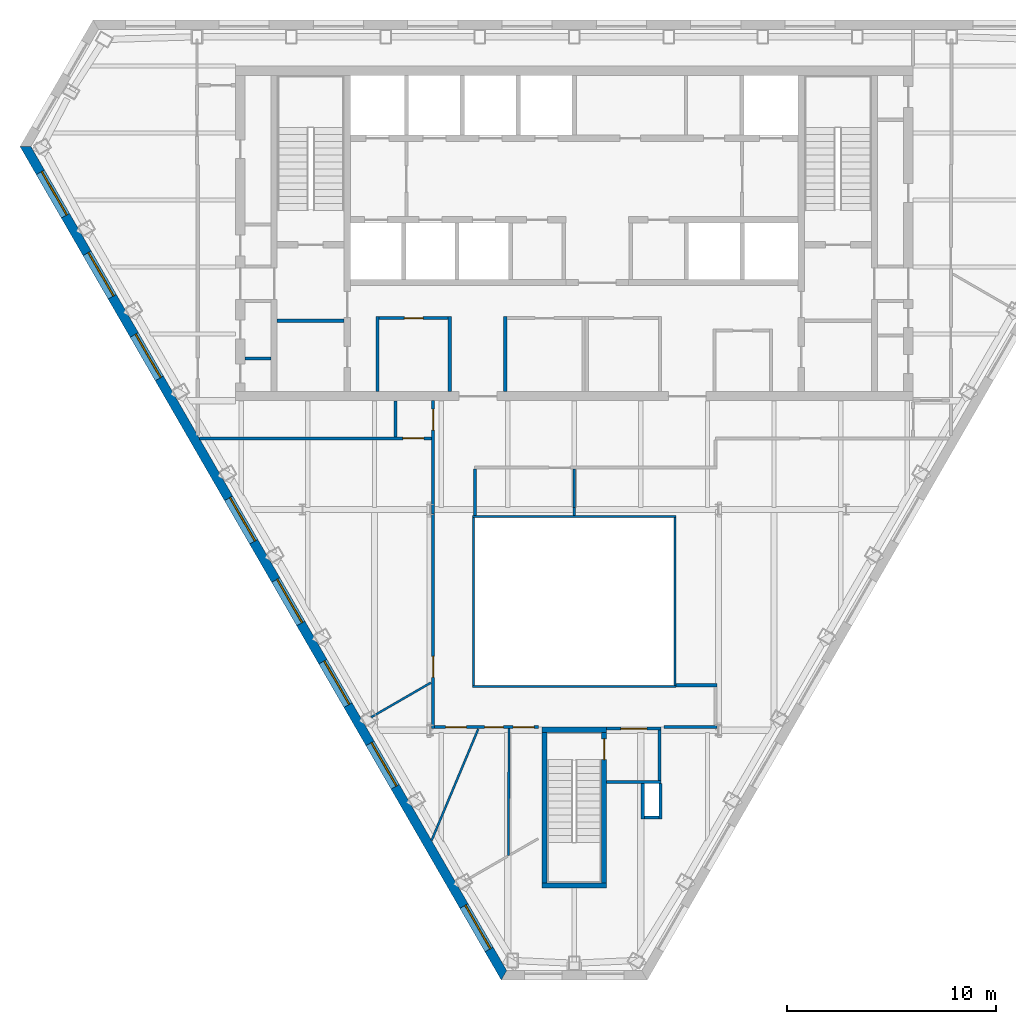
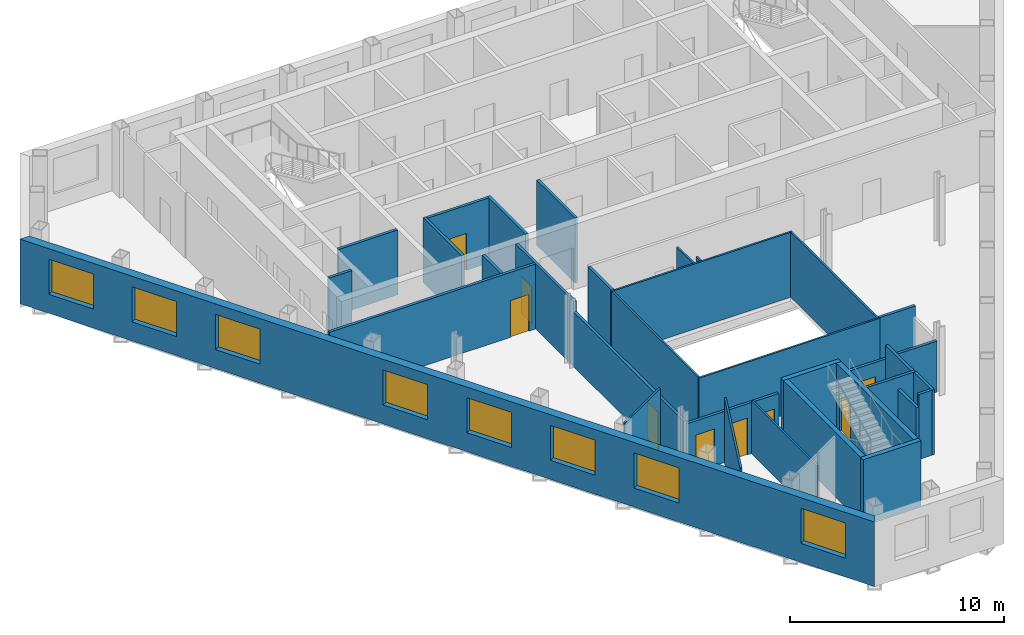
# One storey, part 4 of 11: 34 walls, 9 doors, 8 windows, 17 openings.
"""IFC4 building model written with IfcOpenShell, lengths in metres."""

from ifc_helpers import new_model, si_unit, direction, frame, frame_2d, origin, place, context, subcontext, project, spatial, polyline, rectangle, outline, extrude, material, layer, layer_set, type_object, element, fill, save


model = new_model("IFC4")

# Units and contexts
model_context = context("Model", 3, precision=1e-05, world=origin(), true_north=direction((0.0, 1.0)))
body_context = subcontext(model_context, "Body", "Model", "MODEL_VIEW")
ifc_project = project(units=[si_unit("LENGTHUNIT", "METRE"), si_unit("AREAUNIT", "SQUARE_METRE"), si_unit("VOLUMEUNIT", "CUBIC_METRE"), si_unit("PLANEANGLEUNIT", "RADIAN"), si_unit("MASSUNIT", "GRAM", prefix="KILO")], contexts=[model_context])

# Site, building, storey
site_placement = place(None, origin())
site = spatial("IfcSite", under=ifc_project, at=site_placement, CompositionType="ELEMENT")
building_placement = place(site_placement, origin())
building = spatial("IfcBuilding", under=site, at=building_placement, Name="Njiva Tower", CompositionType="ELEMENT")
storey_placement = place(building_placement, frame((0.0, 0.0, 216.0)))
storey = spatial("IfcBuildingStorey", under=building, at=storey_placement, Name="L48", CompositionType="ELEMENT", Elevation=216.0)

# Walls
ifc_material_1 = material(Name="Blockwork", Category="masonry")
ifc_layer_1 = layer(ifc_material_1, 0.15)
ifc_layer_set_1 = layer_set([ifc_layer_1], Name="Blockwork")
wall_type_1 = type_object("IfcWallType", Name="WT1 Compartment partition 150", PredefinedType="PARTITIONING", material=ifc_layer_set_1)
wall_1_placement = place(storey_placement, frame((-14.2, 5.825, 0.0), z_axis=(0.0, 0.0, 1.0), x_axis=(1.0, 0.0, 0.0)))
element("IfcWall", 1, at=wall_1_placement, inside=storey, type_object=wall_type_1, Name="Room wall A", PredefinedType="PARTITIONING", context=body_context, shape_type="SweptSolid", body=[
    extrude(rectangle(XDim=3.2, YDim=0.15, at=frame_2d((1.6, 0.0))), origin(), (0.0, 0.0, 1.0), 3.7),
])
for number, where, z_axis, x_axis, name in (
    (2, (-9.4, 2.45, 0.0), (0.0, 0.0, 1.0), (0.0, 1.0, 0.0), "Waiting room wall west"),
    (3, (-5.95, 2.45, 0.0), (0.0, 0.0, 1.0), (0.0, 1.0, 0.0), "Waiting room wall east"),
):
    element("IfcWall", number, at=place(storey_placement, frame(where, z_axis=z_axis, x_axis=x_axis)), inside=storey, type_object=wall_type_1, Name=name, PredefinedType="PARTITIONING", context=body_context, shape_type="SweptSolid", body=[
        extrude(rectangle(XDim=3.575, YDim=0.15, at=frame_2d((1.7875, 0.0))), origin(), (0.0, 0.0, 1.0), 3.7),
    ])

# Wall, opening, door
wall_2_placement = place(storey_placement, frame((-9.325, 5.95, 0.0), z_axis=(0.0, 0.0, 1.0), x_axis=(1.0, 0.0, 0.0)))
wall_2 = element("IfcWall", 4, at=wall_2_placement, inside=storey, type_object=wall_type_1, Name="Waiting room wall north", PredefinedType="PARTITIONING", context=body_context, shape_type="SweptSolid", body=[
    extrude(rectangle(XDim=3.3, YDim=0.15, at=frame_2d((1.65, 0.0))), origin(), (0.0, 0.0, 1.0), 3.7),
])
opening_1_placement = place(wall_2_placement, frame((1.2, 0.0, 0.0)))
opening_1 = element("IfcOpeningElement", 5, at=opening_1_placement, cuts=wall_2, Name="Opening S16-D933", PredefinedType="OPENING", context=body_context, shape_type="SweptSolid", body=[
    extrude(rectangle(XDim=0.9, YDim=2.1, at=frame_2d((0.45, 1.05))), frame((0.0, 0.085, 0.0), z_axis=(0.0, -1.0, 0.0), x_axis=(1.0, 0.0, 0.0)), (0.0, 0.0, 1.0), 0.17),
])
ifc_material_2 = material(Name="Steel fire door, painted", Category="steel")
door_type_1 = type_object("IfcDoorType", Name="D6 Fire-rated door 900x2100", OperationType="SINGLE_SWING_LEFT", PredefinedType="DOOR", material=ifc_material_2)
door_1_placement = place(opening_1_placement, origin())
door_1 = element("IfcDoor", 6, at=door_1_placement, inside=storey, type_object=door_type_1, Name="Waiting room door", OperationType="SINGLE_SWING_RIGHT", OverallHeight=2.1, OverallWidth=0.9, PredefinedType="DOOR", context=body_context, shape_type="SweptSolid", body=[
    extrude(rectangle(XDim=0.9, YDim=2.1, at=frame_2d((0.45, 1.05))), frame((0.0, 0.025, 0.0), z_axis=(0.0, -1.0, 0.0), x_axis=(1.0, 0.0, 0.0)), (0.0, 0.0, 1.0), 0.05),
])
fill(opening_1, door_1)

# Walls
wall_3_placement = place(storey_placement, frame((-3.3, 2.45, 0.0), z_axis=(0.0, 0.0, 1.0), x_axis=(0.0, 1.0, 0.0)))
element("IfcWall", 7, at=wall_3_placement, inside=storey, type_object=wall_type_1, Name="First aid room wall west", PredefinedType="PARTITIONING", context=body_context, shape_type="SweptSolid", body=[
    extrude(rectangle(XDim=3.575, YDim=0.15, at=frame_2d((1.7875, 0.0))), origin(), (0.0, 0.0, 1.0), 3.7),
])
ifc_material_3 = material(Name="Gypsum board on steel studs", Category="gypsum")
ifc_layer_2 = layer(ifc_material_3, 0.1)
ifc_layer_set_2 = layer_set([ifc_layer_2], Name="Gypsum board on steel studs")
wall_type_2 = type_object("IfcWallType", Name="WT20 Gypsum partition 100", PredefinedType="PARTITIONING", material=ifc_layer_set_2)
wall_4_placement = place(storey_placement, frame((-9.705, -13.126, 0.0), z_axis=(0.0, 0.0, 1.0), x_axis=(0.865938055058, 0.500151261923, 0.0)))
element("IfcWall", 8, at=wall_4_placement, inside=storey, type_object=wall_type_2, Name="Partition S16-P006", PredefinedType="PARTITIONING", context=body_context, shape_type="SweptSolid", body=[
    extrude(rectangle(XDim=3.297, YDim=0.1, at=frame_2d((1.6485, 0.0))), origin(), (0.0, 0.0, 1.0), 3.7),
])
wall_5_placement = place(storey_placement, frame((-6.821, -19.02, 0.0), z_axis=(0.0, 0.0, 1.0), x_axis=(0.386360825785, 0.922347717674, 0.0)))
element("IfcWall", 9, at=wall_5_placement, inside=storey, type_object=wall_type_2, Name="Partition S16-P008", PredefinedType="PARTITIONING", context=body_context, shape_type="SweptSolid", body=[
    extrude(rectangle(XDim=5.7744, YDim=0.1, at=frame_2d((2.8872, 0.0))), origin(), (0.0, 0.0, 1.0), 3.7),
])
wall_6_placement = place(storey_placement, frame((-3.143, -19.751, 0.0), z_axis=(0.0, 0.0, 1.0), x_axis=(0.003456200555, 0.999994027321, 0.0)))
element("IfcWall", 10, at=wall_6_placement, inside=storey, type_object=wall_type_2, Name="Partition S16-P014", PredefinedType="PARTITIONING", context=body_context, shape_type="SweptSolid", body=[
    extrude(rectangle(XDim=6.076, YDim=0.1, at=frame_2d((3.038, 0.0))), origin(), (0.0, 0.0, 1.0), 3.01),
])
wall_7_placement = place(storey_placement, frame((-0.001, -1.275, 0.0), z_axis=(0.0, 0.0, 1.0), x_axis=(0.000438356122, -0.999999903922, 0.0)))
element("IfcWall", 11, at=wall_7_placement, inside=storey, type_object=wall_type_2, Name="Partition S16-P016", PredefinedType="PARTITIONING", context=body_context, shape_type="SweptSolid", body=[
    extrude(rectangle(XDim=1.825, YDim=0.1, at=frame_2d((0.9125, 0.0))), origin(), (0.0, 0.0, 1.0), 3.15),
])
wall_8_placement = place(storey_placement, frame((-0.0002, -3.1, 0.0), z_axis=(0.0, 0.0, 1.0), x_axis=(0.000526315717, -0.999999861496, 0.0)))
element("IfcWall", 12, at=wall_8_placement, inside=storey, type_object=wall_type_2, Name="Partition S16-P016A", PredefinedType="PARTITIONING", context=body_context, shape_type="SweptSolid", body=[
    extrude(rectangle(XDim=0.38, YDim=0.1, at=frame_2d((0.19, 0.0))), origin(), (0.0, 0.0, 1.0), 3.7),
])

# Wall, opening, door
ifc_layer_3 = layer(ifc_material_3, 0.15)
ifc_layer_set_3 = layer_set([ifc_layer_3], Name="Gypsum board on steel studs")
wall_type_3 = type_object("IfcWallType", Name="WT21 Compartment wall 150", PredefinedType="PARTITIONING", material=ifc_layer_set_3)
wall_9_placement = place(storey_placement, frame((-17.918, 0.2, 0.0), z_axis=(0.0, 0.0, 1.0), x_axis=(0.999999995937, 9.0146939e-05, 0.0)))
wall_9 = element("IfcWall", 13, at=wall_9_placement, inside=storey, type_object=wall_type_3, Name="Partition S16-P005", PredefinedType="PARTITIONING", context=body_context, shape_type="SweptSolid", body=[
    extrude(rectangle(XDim=11.093, YDim=0.15, at=frame_2d((5.5465, 0.0))), origin(), (0.0, 0.0, 1.0), 3.7),
])
opening_2_placement = place(wall_9_placement, frame((9.73, 0.0, 0.0)))
opening_2 = element("IfcOpeningElement", 14, at=opening_2_placement, cuts=wall_9, Name="Opening S16-D004", PredefinedType="OPENING", context=body_context, shape_type="SweptSolid", body=[
    extrude(rectangle(XDim=1.0, YDim=2.1, at=frame_2d((0.5, 1.05))), frame((0.0, 0.085, 0.0), z_axis=(0.0, -1.0, 0.0), x_axis=(1.0, 0.0, 0.0)), (0.0, 0.0, 1.0), 0.17),
])
ifc_material_4 = material(Name="Steel fire door set", Category="steel")
door_type_2 = type_object("IfcDoorType", Name="D37 Fire door 1000x2100", OperationType="SINGLE_SWING_LEFT", PredefinedType="DOOR", material=ifc_material_4)
door_2_placement = place(opening_2_placement, origin())
door_2 = element("IfcDoor", 15, at=door_2_placement, inside=storey, type_object=door_type_2, Name="Door S16-D004", OperationType="SINGLE_SWING_RIGHT", OverallHeight=2.1, OverallWidth=1.0, PredefinedType="DOOR", context=body_context, shape_type="SweptSolid", body=[
    extrude(rectangle(XDim=1.0, YDim=2.1, at=frame_2d((0.5, 1.05))), frame((0.0, 0.025, 0.0), z_axis=(0.0, -1.0, 0.0), x_axis=(1.0, 0.0, 0.0)), (0.0, 0.0, 1.0), 0.05),
])
fill(opening_2, door_2)

# Wall
wall_10_placement = place(storey_placement, frame((-8.55, 0.276, 0.0), z_axis=(0.0, 0.0, 1.0), x_axis=(0.0, 1.0, 0.0)))
element("IfcWall", 16, at=wall_10_placement, inside=storey, type_object=wall_type_3, Name="Partition S16-P007", PredefinedType="PARTITIONING", context=body_context, shape_type="SweptSolid", body=[
    extrude(rectangle(XDim=1.723, YDim=0.15, at=frame_2d((0.8615, 0.0))), origin(), (0.0, 0.0, 1.0), 3.7),
])

# Wall, opening, door
wall_11_placement = place(storey_placement, frame((-6.75, -13.675, 0.0), z_axis=(0.0, 0.0, 1.0), x_axis=(0.0, 1.0, 0.0)))
wall_11 = element("IfcWall", 17, at=wall_11_placement, inside=storey, type_object=wall_type_3, Name="Partition S16-P009", PredefinedType="PARTITIONING", context=body_context, shape_type="SweptSolid", body=[
    extrude(rectangle(XDim=10.263, YDim=0.15, at=frame_2d((5.1315, 0.0))), origin(), (0.0, 0.0, 1.0), 3.11),
])
opening_3_placement = place(wall_11_placement, frame((2.455, 0.0, 0.0)))
opening_3 = element("IfcOpeningElement", 18, at=opening_3_placement, cuts=wall_11, Name="Opening S16-D005", PredefinedType="OPENING", context=body_context, shape_type="SweptSolid", body=[
    extrude(rectangle(XDim=1.0, YDim=2.1, at=frame_2d((0.5, 1.05))), frame((0.0, 0.085, 0.0), z_axis=(0.0, -1.0, 0.0), x_axis=(1.0, 0.0, 0.0)), (0.0, 0.0, 1.0), 0.17),
])
door_3_placement = place(opening_3_placement, origin())
door_3 = element("IfcDoor", 19, at=door_3_placement, inside=storey, type_object=door_type_2, Name="Door S16-D005", OperationType="SINGLE_SWING_RIGHT", OverallHeight=2.1, OverallWidth=1.0, PredefinedType="DOOR", context=body_context, shape_type="SweptSolid", body=[
    extrude(rectangle(XDim=1.0, YDim=2.1, at=frame_2d((0.5, 1.05))), frame((0.0, 0.025, 0.0), z_axis=(0.0, -1.0, 0.0), x_axis=(1.0, 0.0, 0.0)), (0.0, 0.0, 1.0), 0.05),
])
fill(opening_3, door_3)

wall_12_placement = place(storey_placement, frame((-6.75, -3.412, 0.0), z_axis=(0.0, 0.0, 1.0), x_axis=(0.0, 1.0, 0.0)))
wall_12 = element("IfcWall", 20, at=wall_12_placement, inside=storey, type_object=wall_type_3, Name="Partition S16-P009A", PredefinedType="PARTITIONING", context=body_context, shape_type="SweptSolid", body=[
    extrude(rectangle(XDim=5.412, YDim=0.15, at=frame_2d((2.706, 0.0))), origin(), (0.0, 0.0, 1.0), 3.7),
])
opening_4_placement = place(wall_12_placement, frame((4.012, 0.0, 0.0)))
opening_4 = element("IfcOpeningElement", 21, at=opening_4_placement, cuts=wall_12, Name="Opening S16-D006", PredefinedType="OPENING", context=body_context, shape_type="SweptSolid", body=[
    extrude(rectangle(XDim=1.0, YDim=2.1, at=frame_2d((0.5, 1.05))), frame((0.0, 0.085, 0.0), z_axis=(0.0, -1.0, 0.0), x_axis=(1.0, 0.0, 0.0)), (0.0, 0.0, 1.0), 0.17),
])
door_4_placement = place(opening_4_placement, origin())
door_4 = element("IfcDoor", 22, at=door_4_placement, inside=storey, type_object=door_type_2, Name="Door S16-D006", OperationType="SINGLE_SWING_LEFT", OverallHeight=2.1, OverallWidth=1.0, PredefinedType="DOOR", context=body_context, shape_type="SweptSolid", body=[
    extrude(rectangle(XDim=1.0, YDim=2.1, at=frame_2d((0.5, 1.05))), frame((0.0, 0.025, 0.0), z_axis=(0.0, -1.0, 0.0), x_axis=(1.0, 0.0, 0.0)), (0.0, 0.0, 1.0), 0.05),
])
fill(opening_4, door_4)

# Wall, openings, doors
wall_13_placement = place(storey_placement, frame((-6.675, -13.6, 0.0), z_axis=(0.0, 0.0, 1.0), x_axis=(1.0, 0.0, 0.0)))
wall_13 = element("IfcWall", 23, at=wall_13_placement, inside=storey, type_object=wall_type_3, Name="Partition S16-P010", PredefinedType="PARTITIONING", context=body_context, shape_type="SweptSolid", body=[
    extrude(rectangle(XDim=4.975, YDim=0.15, at=frame_2d((2.4875, 0.0))), origin(), (0.0, 0.0, 1.0), 2.91),
])
opening_5_placement = place(wall_13_placement, frame((0.522, 0.0, 0.0)))
opening_5 = element("IfcOpeningElement", 24, at=opening_5_placement, cuts=wall_13, Name="Opening S16-D007", PredefinedType="OPENING", context=body_context, shape_type="SweptSolid", body=[
    extrude(rectangle(XDim=1.0, YDim=2.1, at=frame_2d((0.5, 1.05))), frame((0.0, 0.085, 0.0), z_axis=(0.0, -1.0, 0.0), x_axis=(1.0, 0.0, 0.0)), (0.0, 0.0, 1.0), 0.17),
])
opening_6_placement = place(wall_13_placement, frame((2.389, 0.0, 0.0)))
opening_6 = element("IfcOpeningElement", 25, at=opening_6_placement, cuts=wall_13, Name="Opening S16-D008", PredefinedType="OPENING", context=body_context, shape_type="SweptSolid", body=[
    extrude(rectangle(XDim=0.9, YDim=2.1, at=frame_2d((0.45, 1.05))), frame((0.0, 0.085, 0.0), z_axis=(0.0, -1.0, 0.0), x_axis=(1.0, 0.0, 0.0)), (0.0, 0.0, 1.0), 0.17),
])
opening_7_placement = place(wall_13_placement, frame((3.753, 0.0, 0.0)))
opening_7 = element("IfcOpeningElement", 26, at=opening_7_placement, cuts=wall_13, Name="Opening S16-D009", PredefinedType="OPENING", context=body_context, shape_type="SweptSolid", body=[
    extrude(rectangle(XDim=1.0, YDim=2.1, at=frame_2d((0.5, 1.05))), frame((0.0, 0.085, 0.0), z_axis=(0.0, -1.0, 0.0), x_axis=(1.0, 0.0, 0.0)), (0.0, 0.0, 1.0), 0.17),
])
door_type_3 = type_object("IfcDoorType", Name="D36 Fire door 900x2100", OperationType="SINGLE_SWING_LEFT", PredefinedType="DOOR", material=ifc_material_4)
door_5_placement = place(opening_6_placement, origin())
door_5 = element("IfcDoor", 27, at=door_5_placement, inside=storey, type_object=door_type_3, Name="Door S16-D008", OperationType="SINGLE_SWING_RIGHT", OverallHeight=2.1, OverallWidth=0.9, PredefinedType="DOOR", context=body_context, shape_type="SweptSolid", body=[
    extrude(rectangle(XDim=0.9, YDim=2.1, at=frame_2d((0.45, 1.05))), frame((0.0, 0.025, 0.0), z_axis=(0.0, -1.0, 0.0), x_axis=(1.0, 0.0, 0.0)), (0.0, 0.0, 1.0), 0.05),
])
fill(opening_6, door_5)
door_6_placement = place(opening_5_placement, origin())
door_6 = element("IfcDoor", 28, at=door_6_placement, inside=storey, type_object=door_type_2, Name="Door S16-D007", OperationType="SINGLE_SWING_LEFT", OverallHeight=2.1, OverallWidth=1.0, PredefinedType="DOOR", context=body_context, shape_type="SweptSolid", body=[
    extrude(rectangle(XDim=1.0, YDim=2.1, at=frame_2d((0.5, 1.05))), frame((0.0, 0.025, 0.0), z_axis=(0.0, -1.0, 0.0), x_axis=(1.0, 0.0, 0.0)), (0.0, 0.0, 1.0), 0.05),
])
fill(opening_5, door_6)
door_7_placement = place(opening_7_placement, origin())
door_7 = element("IfcDoor", 29, at=door_7_placement, inside=storey, type_object=door_type_2, Name="Door S16-D009", OperationType="SINGLE_SWING_RIGHT", OverallHeight=2.1, OverallWidth=1.0, PredefinedType="DOOR", context=body_context, shape_type="SweptSolid", body=[
    extrude(rectangle(XDim=1.0, YDim=2.1, at=frame_2d((0.5, 1.05))), frame((0.0, 0.025, 0.0), z_axis=(0.0, -1.0, 0.0), x_axis=(1.0, 0.0, 0.0)), (0.0, 0.0, 1.0), 0.05),
])
fill(opening_7, door_7)

# Walls
wall_14_placement = place(storey_placement, frame((-4.75, -1.275, 0.0), z_axis=(0.0, 0.0, 1.0), x_axis=(0.000453514693, -0.999999897162, 0.0)))
element("IfcWall", 30, at=wall_14_placement, inside=storey, type_object=wall_type_3, Name="Partition S16-P013", PredefinedType="PARTITIONING", context=body_context, shape_type="SweptSolid", body=[
    extrude(rectangle(XDim=2.205, YDim=0.15, at=frame_2d((1.1025, 0.0))), origin(), (0.0, 0.0, 1.0), 3.7),
])
wall_15_placement = place(storey_placement, frame((4.3, -13.6, 0.0), z_axis=(0.0, 0.0, 1.0), x_axis=(1.0, 0.0, 0.0)))
element("IfcWall", 31, at=wall_15_placement, inside=storey, type_object=wall_type_3, Name="Partition S16-P017", PredefinedType="PARTITIONING", context=body_context, shape_type="SweptSolid", body=[
    extrude(rectangle(XDim=2.525, YDim=0.15, at=frame_2d((1.2625, 0.0))), origin(), (0.0, 0.0, 1.0), 2.91),
])
wall_16_placement = place(storey_placement, frame((4.87, -11.6, 0.0), z_axis=(0.0, 0.0, 1.0), x_axis=(1.0, 0.0, 0.0)))
element("IfcWall", 32, at=wall_16_placement, inside=storey, type_object=wall_type_3, Name="Partition S16-P018", PredefinedType="PARTITIONING", context=body_context, shape_type="SweptSolid", body=[
    extrude(rectangle(XDim=1.955, YDim=0.15, at=frame_2d((0.9775, 0.0))), origin(), (0.0, 0.0, 1.0), 3.7),
])
ifc_layer_4 = layer(ifc_material_1, 0.15)
ifc_layer_set_4 = layer_set([ifc_layer_4], Name="Blockwork")
wall_type_4 = type_object("IfcWallType", Name="WT3 Riser partition 150", PredefinedType="PARTITIONING", material=ifc_layer_set_4)
wall_17_placement = place(storey_placement, frame((-15.75, 4.025, 0.0), z_axis=(0.0, 0.0, 1.0), x_axis=(1.0, 0.0, 0.0)))
element("IfcWall", 33, at=wall_17_placement, inside=storey, type_object=wall_type_4, Name="Partition strip W00", PredefinedType="PARTITIONING", context=body_context, shape_type="SweptSolid", body=[
    extrude(rectangle(XDim=1.25, YDim=0.15, at=frame_2d((0.625, 0.0))), origin(), (0.0, 0.0, 1.0), 3.7),
])
ifc_layer_5 = layer(ifc_material_1, 0.15)
ifc_layer_set_5 = layer_set([ifc_layer_5], Name="Blockwork")
wall_type_5 = type_object("IfcWallType", Name="WT4 Stair partition 150", PredefinedType="PARTITIONING", material=ifc_layer_set_5)
wall_18_placement = place(storey_placement, frame((1.55, -16.225, 0.0), z_axis=(0.0, 0.0, 1.0), x_axis=(1.0, 0.0, 0.0)))
element("IfcWall", 34, at=wall_18_placement, inside=storey, type_object=wall_type_5, Name="Stair C vestibule wall south", PredefinedType="PARTITIONING", context=body_context, shape_type="SweptSolid", body=[
    extrude(rectangle(XDim=2.6, YDim=0.15, at=frame_2d((1.3, 0.0))), origin(), (0.0, 0.0, 1.0), 3.7),
])
wall_19_placement = place(storey_placement, frame((4.075, -16.15, 0.0), z_axis=(0.0, 0.0, 1.0), x_axis=(0.0, 1.0, 0.0)))
element("IfcWall", 35, at=wall_19_placement, inside=storey, type_object=wall_type_5, Name="Stair C vestibule wall east", PredefinedType="PARTITIONING", context=body_context, shape_type="SweptSolid", body=[
    extrude(rectangle(XDim=2.4, YDim=0.15, at=frame_2d((1.2, 0.0))), origin(), (0.0, 0.0, 1.0), 3.7),
])

# Wall, opening, door
wall_20_placement = place(storey_placement, frame((1.55, -13.675, 0.0), z_axis=(0.0, 0.0, 1.0), x_axis=(1.0, 0.0, 0.0)))
wall_20 = element("IfcWall", 36, at=wall_20_placement, inside=storey, type_object=wall_type_5, Name="Stair C vestibule wall north", PredefinedType="PARTITIONING", context=body_context, shape_type="SweptSolid", body=[
    extrude(rectangle(XDim=2.6, YDim=0.15, at=frame_2d((1.3, 0.0))), origin(), (0.0, 0.0, 1.0), 2.91),
])
opening_8_placement = place(wall_20_placement, frame((0.675, 0.0, 0.0)))
opening_8 = element("IfcOpeningElement", 37, at=opening_8_placement, cuts=wall_20, Name="Opening S16-D941", PredefinedType="OPENING", context=body_context, shape_type="SweptSolid", body=[
    extrude(rectangle(XDim=1.25, YDim=2.1, at=frame_2d((0.625, 1.05))), frame((0.0, 0.085, 0.0), z_axis=(0.0, -1.0, 0.0), x_axis=(1.0, 0.0, 0.0)), (0.0, 0.0, 1.0), 0.17),
])
ifc_material_5 = material(Name="Glazed steel fire door", Category="steel")
door_type_4 = type_object("IfcDoorType", Name="D8 Vestibule corridor door 1250x2100 glazed", OperationType="SINGLE_SWING_LEFT", PredefinedType="DOOR", material=ifc_material_5)
door_8_placement = place(opening_8_placement, origin())
door_8 = element("IfcDoor", 38, at=door_8_placement, inside=storey, type_object=door_type_4, Name="Stair vestibule corridor door", OperationType="SINGLE_SWING_RIGHT", OverallHeight=2.1, OverallWidth=1.25, PredefinedType="DOOR", context=body_context, shape_type="SweptSolid", body=[
    extrude(rectangle(XDim=1.25, YDim=2.1, at=frame_2d((0.625, 1.05))), frame((0.0, 0.025, 0.0), z_axis=(0.0, -1.0, 0.0), x_axis=(1.0, 0.0, 0.0)), (0.0, 0.0, 1.0), 0.05),
])
fill(opening_8, door_8)

# Walls
wall_21_placement = place(storey_placement, frame((3.275, -18.0, 0.0), z_axis=(0.0, 0.0, 1.0), x_axis=(0.0, 1.0, 0.0)))
element("IfcWall", 39, at=wall_21_placement, inside=storey, type_object=wall_type_5, Name="Stair C pressurisation shaft wall", PredefinedType="PARTITIONING", context=body_context, shape_type="SweptSolid", body=[
    extrude(rectangle(XDim=1.7, YDim=0.15, at=frame_2d((0.85, 0.0))), origin(), (0.0, 0.0, 1.0), 3.01),
])
wall_22_placement = place(storey_placement, frame((3.35, -17.925, 0.0), z_axis=(0.0, 0.0, 1.0), x_axis=(1.0, 0.0, 0.0)))
element("IfcWall", 40, at=wall_22_placement, inside=storey, type_object=wall_type_5, Name="Stair C pressurisation shaft wall", PredefinedType="PARTITIONING", context=body_context, shape_type="SweptSolid", body=[
    extrude(rectangle(XDim=0.7, YDim=0.15, at=frame_2d((0.35, 0.0))), origin(), (0.0, 0.0, 1.0), 3.7),
])
wall_23_placement = place(storey_placement, frame((4.125, -18.0, 0.0), z_axis=(0.0, 0.0, 1.0), x_axis=(0.0, 1.0, 0.0)))
element("IfcWall", 41, at=wall_23_placement, inside=storey, type_object=wall_type_5, Name="Stair C pressurisation shaft wall", PredefinedType="PARTITIONING", context=body_context, shape_type="SweptSolid", body=[
    extrude(rectangle(XDim=1.7, YDim=0.15, at=frame_2d((0.85, 0.0))), origin(), (0.0, 0.0, 1.0), 3.7),
])
ifc_material_6 = material(Name="Concrete C40/50", Category="concrete")
ifc_layer_6 = layer(ifc_material_6, 0.25)
ifc_layer_set_6 = layer_set([ifc_layer_6], Name="Concrete C40/50")
wall_type_6 = type_object("IfcWallType", Name="WT9 Stair enclosure wall 250", PredefinedType="SHEAR", material=ifc_layer_set_6)
wall_24_placement = place(storey_placement, frame((-1.425, -21.05, 0.0), z_axis=(0.0, 0.0, 1.0), x_axis=(0.0, 1.0, 0.0)))
element("IfcWall", 42, at=wall_24_placement, inside=storey, type_object=wall_type_6, Name="Stair C wall west", PredefinedType="SHEAR", context=body_context, shape_type="SweptSolid", body=[
    extrude(rectangle(XDim=7.2, YDim=0.25, at=frame_2d((3.6, 0.0))), origin(), (0.0, 0.0, 1.0), 3.7),
])

# Wall, opening, door
wall_25_placement = place(storey_placement, frame((1.425, -21.05, 0.0), z_axis=(0.0, 0.0, 1.0), x_axis=(0.0, 1.0, 0.0)))
wall_25 = element("IfcWall", 43, at=wall_25_placement, inside=storey, type_object=wall_type_6, Name="Stair C wall east", PredefinedType="SHEAR", context=body_context, shape_type="SweptSolid", body=[
    extrude(rectangle(XDim=7.2, YDim=0.25, at=frame_2d((3.6, 0.0))), origin(), (0.0, 0.0, 1.0), 3.7),
])
opening_9_placement = place(wall_25_placement, frame((5.89, 0.0, 0.0)))
opening_9 = element("IfcOpeningElement", 44, at=opening_9_placement, cuts=wall_25, Name="Opening S16-D940", PredefinedType="OPENING", context=body_context, shape_type="SweptSolid", body=[
    extrude(rectangle(XDim=1.0, YDim=2.1, at=frame_2d((0.5, 1.05))), frame((0.0, 0.135, 0.0), z_axis=(0.0, -1.0, 0.0), x_axis=(1.0, 0.0, 0.0)), (0.0, 0.0, 1.0), 0.27),
])
door_type_5 = type_object("IfcDoorType", Name="D9 Stair vestibule door 1000x2100 glazed", OperationType="SINGLE_SWING_LEFT", PredefinedType="DOOR", material=ifc_material_5)
door_9_placement = place(opening_9_placement, origin())
door_9 = element("IfcDoor", 45, at=door_9_placement, inside=storey, type_object=door_type_5, Name="Stair C door", OperationType="SINGLE_SWING_LEFT", OverallHeight=2.1, OverallWidth=1.0, PredefinedType="DOOR", context=body_context, shape_type="SweptSolid", body=[
    extrude(rectangle(XDim=1.0, YDim=2.1, at=frame_2d((0.5, 1.05))), frame((0.0, 0.025, 0.0), z_axis=(0.0, -1.0, 0.0), x_axis=(1.0, 0.0, 0.0)), (0.0, 0.0, 1.0), 0.05),
])
fill(opening_9, door_9)

# Walls
for number, where, z_axis, x_axis, name in (
    (46, (-1.55, -21.175, 0.0), (0.0, 0.0, 1.0), (1.0, 0.0, 0.0), "Stair C wall south"),
    (47, (-1.55, -13.725, 0.0), (0.0, 0.0, 1.0), (1.0, 0.0, 0.0), "Stair C wall north"),
):
    element("IfcWall", number, at=place(storey_placement, frame(where, z_axis=z_axis, x_axis=x_axis)), inside=storey, type_object=wall_type_6, Name=name, PredefinedType="SHEAR", context=body_context, shape_type="SweptSolid", body=[
        extrude(rectangle(XDim=3.1, YDim=0.25, at=frame_2d((1.55, 0.0))), origin(), (0.0, 0.0, 1.0), 3.7),
    ])

# Wall, openings, windows
ifc_material_7 = material(Name="Brick masonry", Category="masonry")
ifc_layer_7 = layer(ifc_material_7, 0.45)
ifc_layer_set_7 = layer_set([ifc_layer_7], Name="Brick masonry")
wall_type_7 = type_object("IfcWallType", Name="WT90 Brick pier and spandrel wall 450", PredefinedType="SOLIDWALL", material=ifc_layer_set_7)
wall_26_placement = place(storey_placement, frame((-26.2352, 14.1551, -0.18), z_axis=(0.0, 0.0, 1.0), x_axis=(0.500000335318, -0.866025210188, 0.0)))
wall_26 = element("IfcWall", 48, at=wall_26_placement, inside=storey, type_object=wall_type_7, Name="Facade wall SW", PredefinedType="SOLIDWALL", context=body_context, shape_type="SweptSolid", body=[
    extrude(outline(polyline([(-0.1299, -0.225), (45.8801, -0.225), (45.6203, 0.225), (0.1299, 0.225), (-0.1299, -0.225)])), origin(), (0.0, 0.0, 1.0), 3.68),
])
opening_10_placement = place(wall_26_placement, frame((1.4247, 0.0, 1.08)))
opening_10 = element("IfcOpeningElement", 49, at=opening_10_placement, cuts=wall_26, Name="Opening S16-W12", PredefinedType="OPENING", context=body_context, shape_type="SweptSolid", body=[
    extrude(rectangle(XDim=2.4, YDim=2.0, at=frame_2d((1.2, 1.0))), frame((0.0, 0.235, 0.0), z_axis=(0.0, -1.0, 0.0), x_axis=(1.0, 0.0, 0.0)), (0.0, 0.0, 1.0), 0.47),
])
opening_11_placement = place(wall_26_placement, frame((5.8949, 0.0, 1.08)))
opening_11 = element("IfcOpeningElement", 50, at=opening_11_placement, cuts=wall_26, Name="Opening S16-W13", PredefinedType="OPENING", context=body_context, shape_type="SweptSolid", body=[
    extrude(rectangle(XDim=2.4, YDim=2.0, at=frame_2d((1.2, 1.0))), frame((0.0, 0.235, 0.0), z_axis=(0.0, -1.0, 0.0), x_axis=(1.0, 0.0, 0.0)), (0.0, 0.0, 1.0), 0.47),
])
opening_12_placement = place(wall_26_placement, frame((10.4035, 0.0, 1.08)))
opening_12 = element("IfcOpeningElement", 51, at=opening_12_placement, cuts=wall_26, Name="Opening S16-W14", PredefinedType="OPENING", context=body_context, shape_type="SweptSolid", body=[
    extrude(rectangle(XDim=2.4, YDim=2.0, at=frame_2d((1.2, 1.0))), frame((0.0, 0.235, 0.0), z_axis=(0.0, -1.0, 0.0), x_axis=(1.0, 0.0, 0.0)), (0.0, 0.0, 1.0), 0.47),
])
opening_13_placement = place(wall_26_placement, frame((19.4208, 0.0, 1.08)))
opening_13 = element("IfcOpeningElement", 52, at=opening_13_placement, cuts=wall_26, Name="Opening S16-W15", PredefinedType="OPENING", context=body_context, shape_type="SweptSolid", body=[
    extrude(rectangle(XDim=2.4, YDim=2.0, at=frame_2d((1.2, 1.0))), frame((0.0, 0.235, 0.0), z_axis=(0.0, -1.0, 0.0), x_axis=(1.0, 0.0, 0.0)), (0.0, 0.0, 1.0), 0.47),
])
opening_14_placement = place(wall_26_placement, frame((23.9294, 0.0, 1.08)))
opening_14 = element("IfcOpeningElement", 53, at=opening_14_placement, cuts=wall_26, Name="Opening S16-W16", PredefinedType="OPENING", context=body_context, shape_type="SweptSolid", body=[
    extrude(rectangle(XDim=2.4, YDim=2.0, at=frame_2d((1.2, 1.0))), frame((0.0, 0.235, 0.0), z_axis=(0.0, -1.0, 0.0), x_axis=(1.0, 0.0, 0.0)), (0.0, 0.0, 1.0), 0.47),
])
opening_15_placement = place(wall_26_placement, frame((28.438, 0.0, 1.08)))
opening_15 = element("IfcOpeningElement", 54, at=opening_15_placement, cuts=wall_26, Name="Opening S16-W17", PredefinedType="OPENING", context=body_context, shape_type="SweptSolid", body=[
    extrude(rectangle(XDim=2.4, YDim=2.0, at=frame_2d((1.2, 1.0))), frame((0.0, 0.235, 0.0), z_axis=(0.0, -1.0, 0.0), x_axis=(1.0, 0.0, 0.0)), (0.0, 0.0, 1.0), 0.47),
])
opening_16_placement = place(wall_26_placement, frame((32.9466, 0.0, 1.08)))
opening_16 = element("IfcOpeningElement", 55, at=opening_16_placement, cuts=wall_26, Name="Opening S16-W18", PredefinedType="OPENING", context=body_context, shape_type="SweptSolid", body=[
    extrude(rectangle(XDim=2.4, YDim=2.0, at=frame_2d((1.2, 1.0))), frame((0.0, 0.235, 0.0), z_axis=(0.0, -1.0, 0.0), x_axis=(1.0, 0.0, 0.0)), (0.0, 0.0, 1.0), 0.47),
])
opening_17_placement = place(wall_26_placement, frame((41.9255, 0.0, 1.08)))
opening_17 = element("IfcOpeningElement", 56, at=opening_17_placement, cuts=wall_26, Name="Opening S16-W19", PredefinedType="OPENING", context=body_context, shape_type="SweptSolid", body=[
    extrude(rectangle(XDim=2.4, YDim=2.0, at=frame_2d((1.2, 1.0))), frame((0.0, 0.235, 0.0), z_axis=(0.0, -1.0, 0.0), x_axis=(1.0, 0.0, 0.0)), (0.0, 0.0, 1.0), 0.47),
])
ifc_material_8 = material(Name="Clear glazing in aluminium frame", Category="aluminium")
window_type = type_object("IfcWindowType", Name="W90 Deep-set window 2400x2000", PartitioningType="SINGLE_PANEL", PredefinedType="WINDOW", material=ifc_material_8)
window_1_placement = place(opening_10_placement, origin())
window_1 = element("IfcWindow", 57, at=window_1_placement, inside=storey, type_object=window_type, Name="Window", OverallHeight=2.0, OverallWidth=2.4, PartitioningType="SINGLE_PANEL", PredefinedType="WINDOW", context=body_context, shape_type="SweptSolid", body=[
    extrude(rectangle(XDim=2.4, YDim=2.0, at=frame_2d((1.2, 1.0))), frame((0.0, 0.105, 0.0), z_axis=(0.0, -1.0, 0.0), x_axis=(1.0, 0.0, 0.0)), (0.0, 0.0, 1.0), 0.06),
])
fill(opening_10, window_1)
window_2_placement = place(opening_11_placement, origin())
window_2 = element("IfcWindow", 58, at=window_2_placement, inside=storey, type_object=window_type, Name="Window", OverallHeight=2.0, OverallWidth=2.4, PartitioningType="SINGLE_PANEL", PredefinedType="WINDOW", context=body_context, shape_type="SweptSolid", body=[
    extrude(rectangle(XDim=2.4, YDim=2.0, at=frame_2d((1.2, 1.0))), frame((0.0, 0.105, 0.0), z_axis=(0.0, -1.0, 0.0), x_axis=(1.0, 0.0, 0.0)), (0.0, 0.0, 1.0), 0.06),
])
fill(opening_11, window_2)
window_3_placement = place(opening_12_placement, origin())
window_3 = element("IfcWindow", 59, at=window_3_placement, inside=storey, type_object=window_type, Name="Window", OverallHeight=2.0, OverallWidth=2.4, PartitioningType="SINGLE_PANEL", PredefinedType="WINDOW", context=body_context, shape_type="SweptSolid", body=[
    extrude(rectangle(XDim=2.4, YDim=2.0, at=frame_2d((1.2, 1.0))), frame((0.0, 0.105, 0.0), z_axis=(0.0, -1.0, 0.0), x_axis=(1.0, 0.0, 0.0)), (0.0, 0.0, 1.0), 0.06),
])
fill(opening_12, window_3)
window_4_placement = place(opening_13_placement, origin())
window_4 = element("IfcWindow", 60, at=window_4_placement, inside=storey, type_object=window_type, Name="Window", OverallHeight=2.0, OverallWidth=2.4, PartitioningType="SINGLE_PANEL", PredefinedType="WINDOW", context=body_context, shape_type="SweptSolid", body=[
    extrude(rectangle(XDim=2.4, YDim=2.0, at=frame_2d((1.2, 1.0))), frame((0.0, 0.105, 0.0), z_axis=(0.0, -1.0, 0.0), x_axis=(1.0, 0.0, 0.0)), (0.0, 0.0, 1.0), 0.06),
])
fill(opening_13, window_4)
window_5_placement = place(opening_14_placement, origin())
window_5 = element("IfcWindow", 61, at=window_5_placement, inside=storey, type_object=window_type, Name="Window", OverallHeight=2.0, OverallWidth=2.4, PartitioningType="SINGLE_PANEL", PredefinedType="WINDOW", context=body_context, shape_type="SweptSolid", body=[
    extrude(rectangle(XDim=2.4, YDim=2.0, at=frame_2d((1.2, 1.0))), frame((0.0, 0.105, 0.0), z_axis=(0.0, -1.0, 0.0), x_axis=(1.0, 0.0, 0.0)), (0.0, 0.0, 1.0), 0.06),
])
fill(opening_14, window_5)
window_6_placement = place(opening_15_placement, origin())
window_6 = element("IfcWindow", 62, at=window_6_placement, inside=storey, type_object=window_type, Name="Window", OverallHeight=2.0, OverallWidth=2.4, PartitioningType="SINGLE_PANEL", PredefinedType="WINDOW", context=body_context, shape_type="SweptSolid", body=[
    extrude(rectangle(XDim=2.4, YDim=2.0, at=frame_2d((1.2, 1.0))), frame((0.0, 0.105, 0.0), z_axis=(0.0, -1.0, 0.0), x_axis=(1.0, 0.0, 0.0)), (0.0, 0.0, 1.0), 0.06),
])
fill(opening_15, window_6)
window_7_placement = place(opening_16_placement, origin())
window_7 = element("IfcWindow", 63, at=window_7_placement, inside=storey, type_object=window_type, Name="Window", OverallHeight=2.0, OverallWidth=2.4, PartitioningType="SINGLE_PANEL", PredefinedType="WINDOW", context=body_context, shape_type="SweptSolid", body=[
    extrude(rectangle(XDim=2.4, YDim=2.0, at=frame_2d((1.2, 1.0))), frame((0.0, 0.105, 0.0), z_axis=(0.0, -1.0, 0.0), x_axis=(1.0, 0.0, 0.0)), (0.0, 0.0, 1.0), 0.06),
])
fill(opening_16, window_7)
window_8_placement = place(opening_17_placement, origin())
window_8 = element("IfcWindow", 64, at=window_8_placement, inside=storey, type_object=window_type, Name="Window", OverallHeight=2.0, OverallWidth=2.4, PartitioningType="SINGLE_PANEL", PredefinedType="WINDOW", context=body_context, shape_type="SweptSolid", body=[
    extrude(rectangle(XDim=2.4, YDim=2.0, at=frame_2d((1.2, 1.0))), frame((0.0, 0.105, 0.0), z_axis=(0.0, -1.0, 0.0), x_axis=(1.0, 0.0, 0.0)), (0.0, 0.0, 1.0), 0.06),
])
fill(opening_17, window_8)

# Walls
ifc_material_9 = material(Name="Fire-resisting glazing EI 90", Category="glass")
ifc_layer_8 = layer(ifc_material_9, 0.1)
ifc_layer_set_8 = layer_set([ifc_layer_8], Name="Fire-resisting glazing EI 90")
wall_type_8 = type_object("IfcWallType", Name="WT95 Fire-resisting glazed screen EI 90", PredefinedType="PARTITIONING", material=ifc_layer_set_8)
wall_27_placement = place(storey_placement, frame((-4.87, -11.67, 0.0), z_axis=(0.0, 0.0, 1.0), x_axis=(1.0, 0.0, 0.0)))
element("IfcWall", 65, at=wall_27_placement, inside=storey, type_object=wall_type_8, Name="Atrium fire screen south", PredefinedType="PARTITIONING", context=body_context, shape_type="SweptSolid", body=[
    extrude(rectangle(XDim=9.74, YDim=0.1, at=frame_2d((4.87, 0.0))), origin(), (0.0, 0.0, 1.0), 3.7),
])
wall_28_placement = place(storey_placement, frame((4.82, -11.62, 0.0), z_axis=(0.0, 0.0, 1.0), x_axis=(0.0, 1.0, 0.0)))
element("IfcWall", 66, at=wall_28_placement, inside=storey, type_object=wall_type_8, Name="Atrium fire screen east", PredefinedType="PARTITIONING", context=body_context, shape_type="SweptSolid", body=[
    extrude(rectangle(XDim=8.04, YDim=0.1, at=frame_2d((4.02, 0.0))), origin(), (0.0, 0.0, 1.0), 3.7),
])
wall_29_placement = place(storey_placement, frame((4.87, -3.53, 0.0), z_axis=(0.0, 0.0, 1.0), x_axis=(-1.0, 0.0, 0.0)))
element("IfcWall", 67, at=wall_29_placement, inside=storey, type_object=wall_type_8, Name="Atrium fire screen north", PredefinedType="PARTITIONING", context=body_context, shape_type="SweptSolid", body=[
    extrude(rectangle(XDim=9.74, YDim=0.1, at=frame_2d((4.87, 0.0))), origin(), (0.0, 0.0, 1.0), 3.7),
])
wall_30_placement = place(storey_placement, frame((-4.82, -3.58, 0.0), z_axis=(0.0, 0.0, 1.0), x_axis=(0.0, -1.0, 0.0)))
element("IfcWall", 68, at=wall_30_placement, inside=storey, type_object=wall_type_8, Name="Atrium fire screen west", PredefinedType="PARTITIONING", context=body_context, shape_type="SweptSolid", body=[
    extrude(rectangle(XDim=8.04, YDim=0.1, at=frame_2d((4.02, 0.0))), origin(), (0.0, 0.0, 1.0), 3.7),
])

save(model, "model.ifc")
